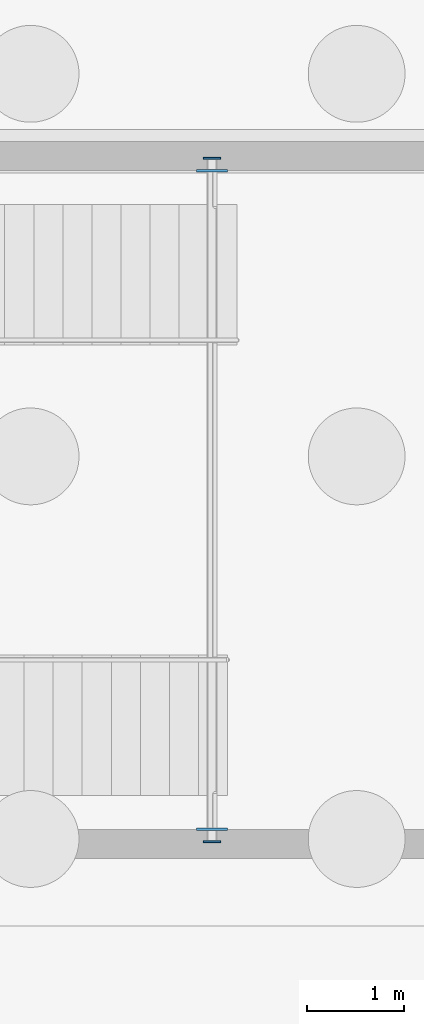
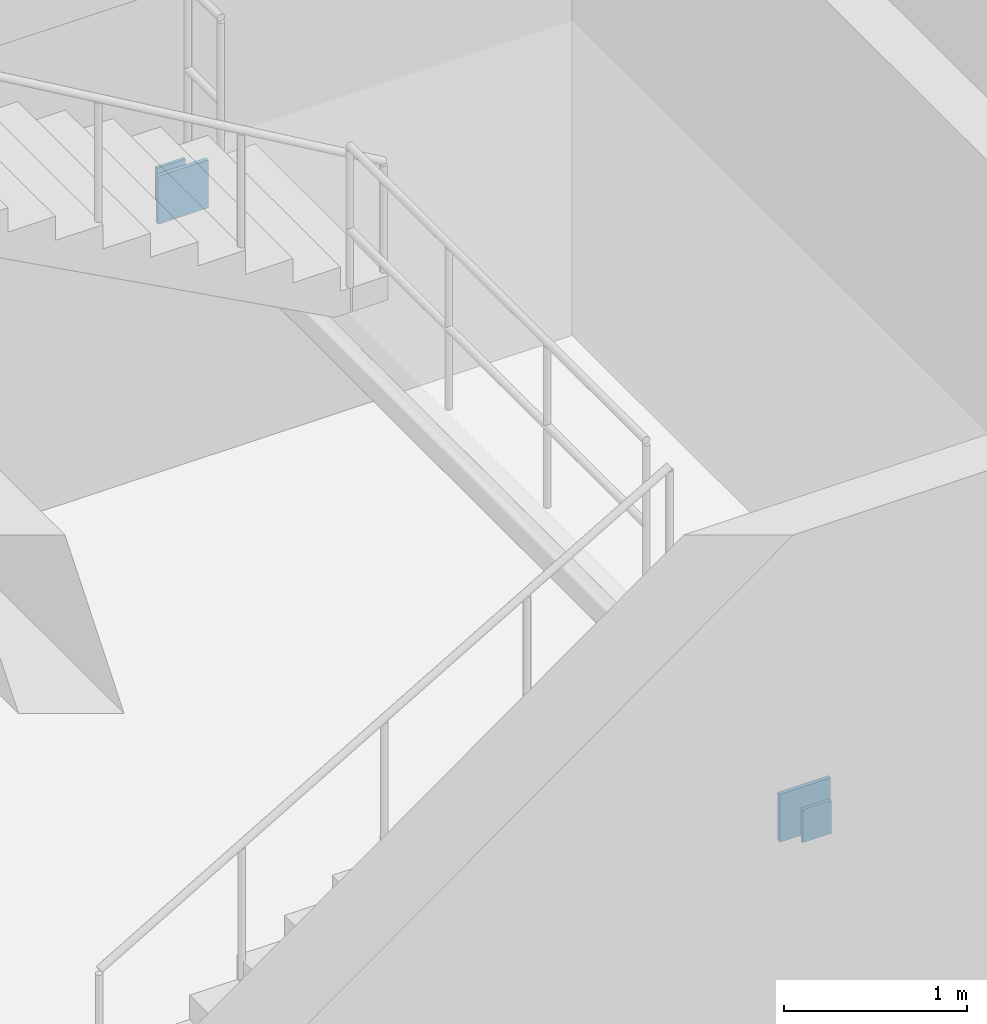
# One storey, part 22 of 36: 4 plates.
"""IFC4 building model written with IfcOpenShell, lengths in metres."""

from ifc_helpers import new_model, si_unit, direction, frame, origin, origin_2d, place, context, subcontext, project, spatial, rectangle, extrude, material, layer, layer_set, type_object, element, save


model = new_model("IFC4")

# Units and contexts
model_context = context("Model", 3, precision=1e-05, world=origin(), true_north=direction((0.0, 1.0)))
body_context = subcontext(model_context, "Body", "Model", "MODEL_VIEW")
ifc_project = project(units=[si_unit("LENGTHUNIT", "METRE"), si_unit("AREAUNIT", "SQUARE_METRE"), si_unit("VOLUMEUNIT", "CUBIC_METRE"), si_unit("PLANEANGLEUNIT", "RADIAN"), si_unit("MASSUNIT", "GRAM", prefix="KILO"), si_unit("THERMODYNAMICTEMPERATUREUNIT", "KELVIN"), si_unit("POWERUNIT", "WATT")], contexts=[model_context])

# Site, building, storey
site_placement = place(None, origin())
site = spatial("IfcSite", under=ifc_project, at=site_placement, CompositionType="ELEMENT")
building_placement = place(site_placement, origin())
building = spatial("IfcBuilding", under=site, at=building_placement, Name="Solvatero Civic Police Headquarters", CompositionType="ELEMENT")
storey_placement = place(building_placement, frame((0.0, 0.0, -8.39990234375)))
storey = spatial("IfcBuildingStorey", under=building, at=storey_placement, Name="B02", CompositionType="ELEMENT", Elevation=-8.39990234375)

# Plates
ifc_material = material(Name="Steel S355", Category="steel")
ifc_layer_1 = layer(ifc_material, 0.02001953125)
ifc_layer_set_1 = layer_set([ifc_layer_1], Name="Steel S355")
plate_type_1 = type_object("IfcPlateType", Name="PLT-CAP-20", PredefinedType="SHEET", material=ifc_layer_set_1)
for number, where, z_axis, x_axis, name in (
    (1, (163.93994140625, 8.070068359375, 1.71484375), (0.0, 0.0, 1.0), (1.0, 0.0, 0.0), "Hollow Section Cap Plate 0071"),
    (2, (163.93994140625, 15.1298828125, 1.71484375), (0.0, 0.0, 1.0), (1.0, 0.0, 0.0), "Hollow Section Cap Plate 0072"),
):
    element("IfcPlate", number, at=place(storey_placement, frame(where, z_axis=z_axis, x_axis=x_axis)), inside=storey, type_object=plate_type_1, Name=name, PredefinedType="SHEET", context=body_context, shape_type="SweptSolid", body=[
        extrude(rectangle(XDim=0.179931640625, YDim=0.02001953125, at=origin_2d()), origin(), (0.0, 0.0, 1.0), 0.219970703125),
    ])
ifc_layer_2 = layer(ifc_material, 0.02490234375)
ifc_layer_set_2 = layer_set([ifc_layer_2], Name="Steel S355")
plate_type_2 = type_object("IfcPlateType", Name="PLT-EMB-25", PredefinedType="SHEET", material=ifc_layer_set_2)
for number, where, z_axis, x_axis, name in (
    (3, (163.93994140625, 8.199951171875, 1.6650390625), (0.0, 0.0, 1.0), (1.0, 0.0, 0.0), "Cast-In Shear Wall Embed Plate 0071"),
    (4, (163.93994140625, 15.0, 1.6650390625), (0.0, 0.0, 1.0), (1.0, 0.0, 0.0), "Cast-In Shear Wall Embed Plate 0072"),
):
    element("IfcPlate", number, at=place(storey_placement, frame(where, z_axis=z_axis, x_axis=x_axis)), inside=storey, type_object=plate_type_2, Name=name, PredefinedType="SHEET", context=body_context, shape_type="SweptSolid", body=[
        extrude(rectangle(XDim=0.320068359375, YDim=0.02490234375, at=origin_2d()), origin(), (0.0, 0.0, 1.0), 0.320068359375),
    ])

save(model, "model.ifc")
